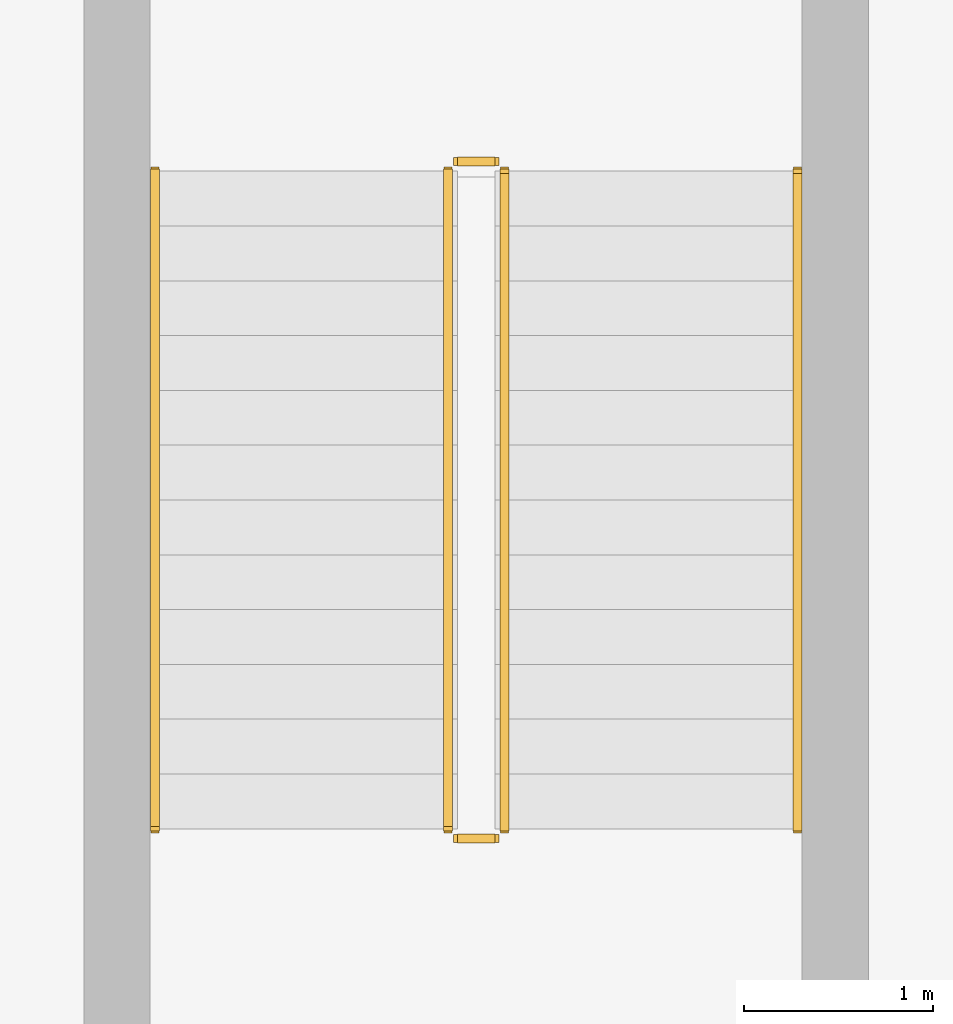
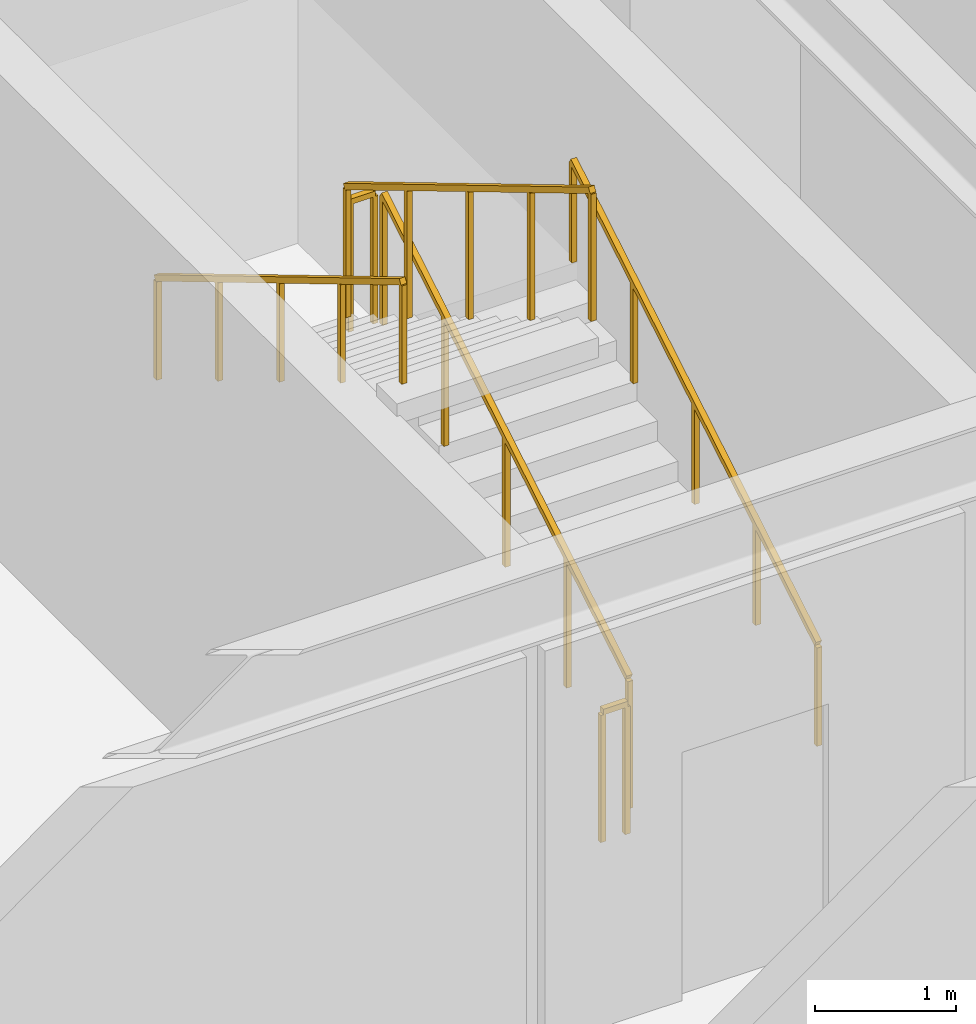
# One storey, part 10 of 11: 6 railings.
"""IFC4 building model written with IfcOpenShell, lengths in metres."""

from ifc_helpers import new_model, si_unit, direction, frame, origin, origin_2d, place, context, subcontext, project, spatial, rectangle, extrude, material, type_object, element, save


model = new_model("IFC4")

# Units and contexts
model_context = context("Model", 3, precision=1e-05, world=origin(), true_north=direction((0.0, 1.0)))
body_context = subcontext(model_context, "Body", "Model", "MODEL_VIEW")
ifc_project = project(units=[si_unit("LENGTHUNIT", "METRE"), si_unit("AREAUNIT", "SQUARE_METRE"), si_unit("VOLUMEUNIT", "CUBIC_METRE"), si_unit("PLANEANGLEUNIT", "RADIAN"), si_unit("MASSUNIT", "GRAM", prefix="KILO")], contexts=[model_context])

# Site, building, storey
site_placement = place(None, origin())
site = spatial("IfcSite", under=ifc_project, at=site_placement, CompositionType="ELEMENT")
building_placement = place(site_placement, origin())
building = spatial("IfcBuilding", under=site, at=building_placement, Name="Sarneth Arch Tower", CompositionType="ELEMENT")
storey_placement = place(building_placement, frame((0.0, 0.0, -4.5)))
storey = spatial("IfcBuildingStorey", under=building, at=storey_placement, Name="B01", CompositionType="ELEMENT", Elevation=-4.5)

# Railings
ifc_material_1 = material(Name="Brushed Stainless Steel 304 tubular handrail", Category="steel")
railing_type_1 = type_object("IfcRailingType", Name="RAIL-HANDRAIL-900", PredefinedType="HANDRAIL", material=ifc_material_1)
railing_1_placement = place(storey_placement, frame((84.85009765625, 65.800048828125, 0.173095703125)))
element("IfcRailing", 1, at=railing_1_placement, inside=storey, type_object=railing_type_1, Name="B01 ST-P2 stair handrail 1", PredefinedType="HANDRAIL", context=body_context, shape_type="SweptSolid", body=[
    extrude(rectangle(XDim=0.048095703125, YDim=0.048095703125, at=origin_2d()), frame((0.0, 0.0, 0.8759765625), z_axis=(0.0, 0.858697190188, 0.512483302717), x_axis=(-1.0, 0.0, 0.0)), (0.0, 0.0, 1.0), 4.052734375),
    extrude(rectangle(XDim=0.0419921875, YDim=0.0419921875, at=origin_2d()), origin(), (0.0, 0.0, 1.0), 0.851806640625),
    extrude(rectangle(XDim=0.0419921875, YDim=0.0419921875, at=origin_2d()), frame((0.0, 0.8701171875, 0.519287109375)), (0.0, 0.0, 1.0), 0.851806640625),
    extrude(rectangle(XDim=0.0419921875, YDim=0.0419921875, at=origin_2d()), frame((0.0, 1.739990234375, 1.03857421875)), (0.0, 0.0, 1.0), 0.851806640625),
    extrude(rectangle(XDim=0.0419921875, YDim=0.0419921875, at=origin_2d()), frame((0.0, 2.60986328125, 1.5576171875)), (0.0, 0.0, 1.0), 0.851806640625),
    extrude(rectangle(XDim=0.0419921875, YDim=0.0419921875, at=origin_2d()), frame((0.0, 3.47998046875, 2.076904296875)), (0.0, 0.0, 1.0), 0.851806640625),
])
railing_2_placement = place(storey_placement, frame((81.449951171875, 69.280029296875, 2.423095703125)))
element("IfcRailing", 2, at=railing_2_placement, inside=storey, type_object=railing_type_1, Name="B01 ST-P2 stair handrail 2", PredefinedType="HANDRAIL", context=body_context, shape_type="SweptSolid", body=[
    extrude(rectangle(XDim=0.048095703125, YDim=0.048095703125, at=origin_2d()), frame((0.0, 0.0, 0.8759765625), z_axis=(0.0, -0.858697190188, 0.512483302717), x_axis=(1.0, 0.0, 0.0)), (0.0, 0.0, 1.0), 4.052734375),
    extrude(rectangle(XDim=0.0419921875, YDim=0.0419921875, at=origin_2d()), origin(), (0.0, 0.0, 1.0), 0.851806640625),
    extrude(rectangle(XDim=0.0419921875, YDim=0.0419921875, at=origin_2d()), frame((0.0, -0.8701171875, 0.519287109375)), (0.0, 0.0, 1.0), 0.851806640625),
    extrude(rectangle(XDim=0.0419921875, YDim=0.0419921875, at=origin_2d()), frame((0.0, -1.739990234375, 1.03857421875)), (0.0, 0.0, 1.0), 0.851806640625),
    extrude(rectangle(XDim=0.0419921875, YDim=0.0419921875, at=origin_2d()), frame((0.0, -2.60986328125, 1.5576171875)), (0.0, 0.0, 1.0), 0.851806640625),
    extrude(rectangle(XDim=0.0419921875, YDim=0.0419921875, at=origin_2d()), frame((0.0, -3.47998046875, 2.076904296875)), (0.0, 0.0, 1.0), 0.851806640625),
])
ifc_material_2 = material(Name="Painted Steel S275 stair well guard", Category="steel")
railing_type_2 = type_object("IfcRailingType", Name="RAIL-STAIR-GUARD", PredefinedType="GUARDRAIL", material=ifc_material_2)
railing_3_placement = place(storey_placement, frame((83.300048828125, 65.800048828125, 0.173095703125)))
element("IfcRailing", 3, at=railing_3_placement, inside=storey, type_object=railing_type_2, Name="B01 ST-P2 stair guard 1", PredefinedType="GUARDRAIL", context=body_context, shape_type="SweptSolid", body=[
    extrude(rectangle(XDim=0.048095703125, YDim=0.048095703125, at=origin_2d()), frame((0.0, 0.0, 1.1259765625), z_axis=(0.0, 0.858697190188, 0.512483302717), x_axis=(-1.0, 0.0, 0.0)), (0.0, 0.0, 1.0), 4.052734375),
    extrude(rectangle(XDim=0.0419921875, YDim=0.0419921875, at=origin_2d()), origin(), (0.0, 0.0, 1.0), 1.101806640625),
    extrude(rectangle(XDim=0.0419921875, YDim=0.0419921875, at=origin_2d()), frame((0.0, 0.8701171875, 0.519287109375)), (0.0, 0.0, 1.0), 1.101806640625),
    extrude(rectangle(XDim=0.0419921875, YDim=0.0419921875, at=origin_2d()), frame((0.0, 1.739990234375, 1.03857421875)), (0.0, 0.0, 1.0), 1.101806640625),
    extrude(rectangle(XDim=0.0419921875, YDim=0.0419921875, at=origin_2d()), frame((0.0, 2.60986328125, 1.5576171875)), (0.0, 0.0, 1.0), 1.101806640625),
    extrude(rectangle(XDim=0.0419921875, YDim=0.0419921875, at=origin_2d()), frame((0.0, 3.47998046875, 2.076904296875)), (0.0, 0.0, 1.0), 1.101806640625),
])
railing_4_placement = place(storey_placement, frame((83.25, 69.330078125, 2.25)))
element("IfcRailing", 4, at=railing_4_placement, inside=storey, type_object=railing_type_2, Name="B01 ST-P2 stair guard 2", PredefinedType="GUARDRAIL", context=body_context, shape_type="SweptSolid", body=[
    extrude(rectangle(XDim=0.048095703125, YDim=0.048095703125, at=origin_2d()), frame((0.0, 0.0, 1.1259765625), z_axis=(-1.0, 0.0, 0.0), x_axis=(0.0, -1.0, 0.0)), (0.0, 0.0, 1.0), 0.199951171875),
    extrude(rectangle(XDim=0.0419921875, YDim=0.0419921875, at=origin_2d()), origin(), (0.0, 0.0, 1.0), 1.101806640625),
    extrude(rectangle(XDim=0.0419921875, YDim=0.0419921875, at=origin_2d()), frame((-0.199951171875, 0.0, 0.0)), (0.0, 0.0, 1.0), 1.101806640625),
])
railing_5_placement = place(storey_placement, frame((83.0, 69.280029296875, 2.423095703125)))
element("IfcRailing", 5, at=railing_5_placement, inside=storey, type_object=railing_type_2, Name="B01 ST-P2 stair guard 3", PredefinedType="GUARDRAIL", context=body_context, shape_type="SweptSolid", body=[
    extrude(rectangle(XDim=0.048095703125, YDim=0.048095703125, at=origin_2d()), frame((0.0, 0.0, 1.1259765625), z_axis=(0.0, -0.858697190188, 0.512483302717), x_axis=(1.0, 0.0, 0.0)), (0.0, 0.0, 1.0), 4.052734375),
    extrude(rectangle(XDim=0.0419921875, YDim=0.0419921875, at=origin_2d()), origin(), (0.0, 0.0, 1.0), 1.101806640625),
    extrude(rectangle(XDim=0.0419921875, YDim=0.0419921875, at=origin_2d()), frame((0.0, -0.8701171875, 0.519287109375)), (0.0, 0.0, 1.0), 1.101806640625),
    extrude(rectangle(XDim=0.0419921875, YDim=0.0419921875, at=origin_2d()), frame((0.0, -1.739990234375, 1.03857421875)), (0.0, 0.0, 1.0), 1.101806640625),
    extrude(rectangle(XDim=0.0419921875, YDim=0.0419921875, at=origin_2d()), frame((0.0, -2.60986328125, 1.5576171875)), (0.0, 0.0, 1.0), 1.101806640625),
    extrude(rectangle(XDim=0.0419921875, YDim=0.0419921875, at=origin_2d()), frame((0.0, -3.47998046875, 2.076904296875)), (0.0, 0.0, 1.0), 1.101806640625),
])
railing_6_placement = place(storey_placement, frame((83.25, 65.75, 0.0)))
element("IfcRailing", 6, at=railing_6_placement, inside=storey, type_object=railing_type_2, Name="B01 ST-P2 stair guard 4", PredefinedType="GUARDRAIL", context=body_context, shape_type="SweptSolid", body=[
    extrude(rectangle(XDim=0.048095703125, YDim=0.048095703125, at=origin_2d()), frame((0.0, 0.0, 1.1259765625), z_axis=(-1.0, 0.0, 0.0), x_axis=(0.0, -1.0, 0.0)), (0.0, 0.0, 1.0), 0.199951171875),
    extrude(rectangle(XDim=0.0419921875, YDim=0.0419921875, at=origin_2d()), origin(), (0.0, 0.0, 1.0), 1.101806640625),
    extrude(rectangle(XDim=0.0419921875, YDim=0.0419921875, at=origin_2d()), frame((-0.199951171875, 0.0, 0.0)), (0.0, 0.0, 1.0), 1.101806640625),
])

save(model, "model.ifc")
